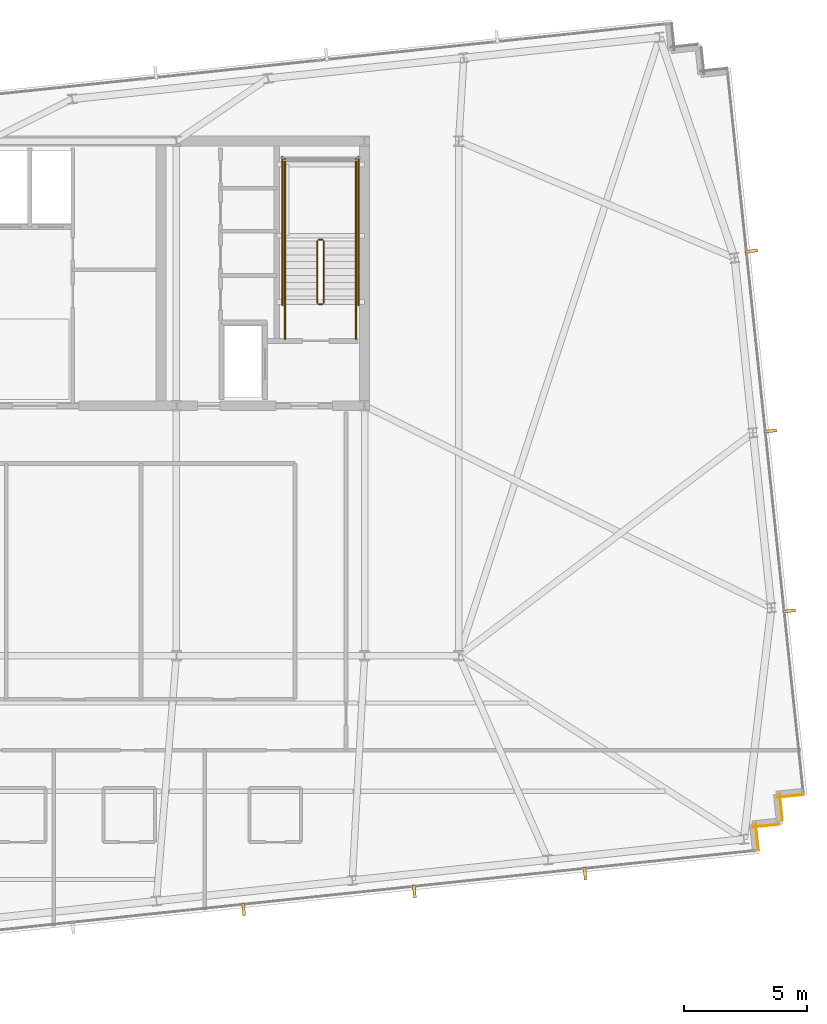
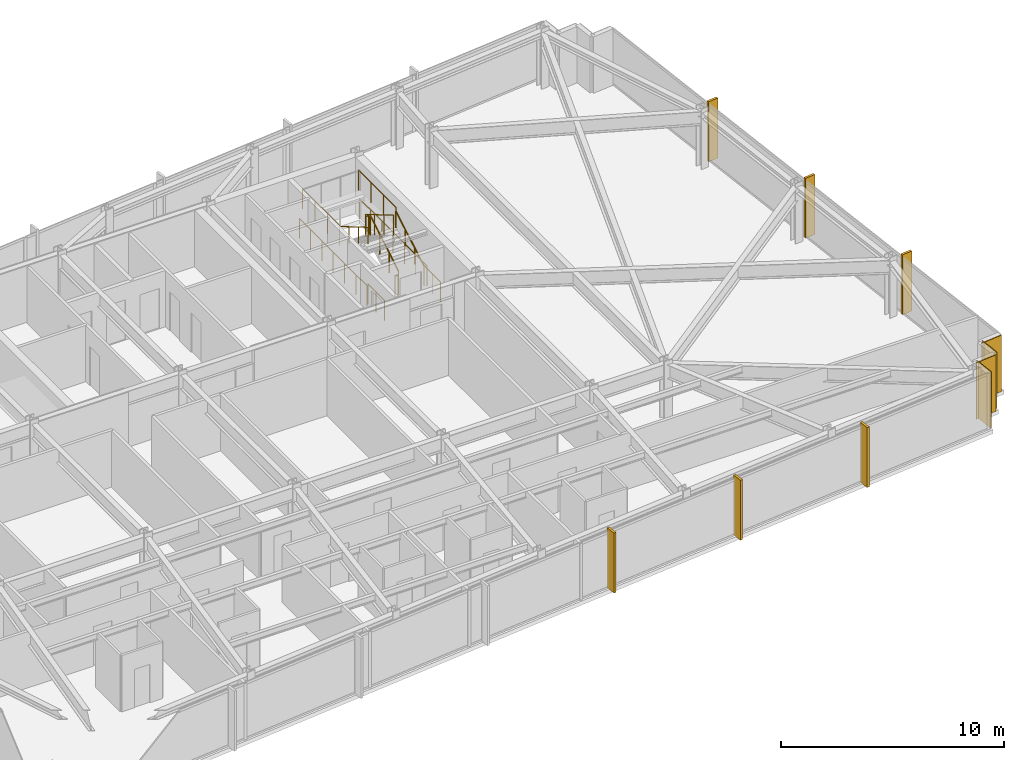
# One storey, part 32 of 33: 12 railings, 6 shading devices, 4 coverings.
"""IFC4 building model written with IfcOpenShell, lengths in metres."""

from ifc_helpers import new_model, si_unit, direction, frame, frame_2d, origin, origin_2d, place, context, subcontext, project, spatial, rectangle, circle, extrude, material, layer, layer_set, type_object, element, save


model = new_model("IFC4")

# Units and contexts
model_context = context("Model", 3, precision=1e-05, world=origin(), true_north=direction((0.0, 1.0)))
body_context = subcontext(model_context, "Body", "Model", "MODEL_VIEW")
ifc_project = project(units=[si_unit("LENGTHUNIT", "METRE"), si_unit("AREAUNIT", "SQUARE_METRE"), si_unit("VOLUMEUNIT", "CUBIC_METRE"), si_unit("PLANEANGLEUNIT", "RADIAN"), si_unit("MASSUNIT", "GRAM", prefix="KILO")], contexts=[model_context])

# Site, building, storey
site_placement = place(None, origin())
site = spatial("IfcSite", under=ifc_project, at=site_placement, CompositionType="ELEMENT")
building_placement = place(site_placement, origin())
building = spatial("IfcBuilding", under=site, at=building_placement, Name="Yelkora Congress Tower", CompositionType="ELEMENT")
storey_placement = place(building_placement, frame((0.0, 0.0, 227.60009765625)))
storey = spatial("IfcBuildingStorey", under=building, at=storey_placement, Name="L63", CompositionType="ELEMENT", Elevation=227.60009765625)

# Coverings
ifc_material_1 = material(Name="Anatolian bush-hammered limestone", Category="masonry")
ifc_layer_1 = layer(ifc_material_1, 0.0400390625)
ifc_layer_set_1 = layer_set([ifc_layer_1], Name="Anatolian bush-hammered limestone")
covering_type = type_object("IfcCoveringType", Name="COV-CLAD-SPANDREL-40", PredefinedType="CLADDING", material=ifc_layer_set_1)
for number, where, z_axis, x_axis, name in (
    (1, (71.668212890625, 19.535888671875, 0.0), (0.0, 0.0, 1.0), (-0.994544300928, -0.104315068386, 0.0), "L63 Anatolian Limestone Cladding EW-L63-SR16"),
    (2, (70.6943359375, 19.569580078125, 0.0), (0.0, 0.0, 1.0), (0.104534592565, -0.994521251134, 0.0), "L63 Anatolian Limestone Cladding EW-L63-SR17"),
    (3, (70.689208984375, 18.3271484375, 0.0), (0.0, 0.0, 1.0), (-0.994521251134, -0.104534592565, 0.0), "L63 Anatolian Limestone Cladding EW-L63-SR18"),
    (4, (69.71533203125, 18.360595703125, 0.0), (0.0, 0.0, 1.0), (0.104534592565, -0.994521251134, 0.0), "L63 Anatolian Limestone Cladding EW-L63-SR19"),
):
    element("IfcCovering", number, at=place(storey_placement, frame(where, z_axis=z_axis, x_axis=x_axis)), inside=storey, type_object=covering_type, Name=name, PredefinedType="CLADDING", context=body_context, shape_type="SweptSolid", body=[
        extrude(rectangle(XDim=1.10009765625, YDim=0.0400390625, at=frame_2d((0.550048828125, 0.0))), origin(), (0.0, 0.0, 1.0), 3.079833984375),
    ])

# Railings
ifc_material_2 = material(Name="Painted galvanised steel stair well guard with vertical infill", Category="steel")
ifc_layer_2 = layer(ifc_material_2, 0.06005859375)
ifc_layer_set_2 = layer_set([ifc_layer_2], Name="Painted galvanised steel stair well guard with vertical infill")
railing_type_1 = type_object("IfcRailingType", Name="RAIL-STAIR-GUARD-1120", PredefinedType="GUARDRAIL", material=ifc_layer_set_2)
railing_1_placement = place(storey_placement, frame((52.090087890625, 39.60009765625, 0.164794921875)))
element("IfcRailing", 5, at=railing_1_placement, inside=storey, type_object=railing_type_1, Name="ST-02 L63 Stair Well Guardrail 1", PredefinedType="GUARDRAIL", context=body_context, shape_type="SweptSolid", body=[
    extrude(circle(Radius=0.02392578125, at=origin_2d()), frame((0.0, 0.0, 1.09619140625), z_axis=(0.0, 0.86152411907, 0.507716645641), x_axis=(-1.0, 0.0, 0.0)), (0.0, 0.0, 1.0), 2.925048828125),
    extrude(circle(Radius=0.02099609375, at=origin_2d()), origin(), (0.0, 0.0, 1.0), 1.072021484375),
    extrude(circle(Radius=0.02099609375, at=origin_2d()), frame((0.0, 0.840087890625, 0.4951171875)), (0.0, 0.0, 1.0), 1.072021484375),
    extrude(circle(Radius=0.02099609375, at=origin_2d()), frame((0.0, 1.679931640625, 0.989990234375)), (0.0, 0.0, 1.0), 1.072021484375),
    extrude(circle(Radius=0.02099609375, at=origin_2d()), frame((0.0, 2.52001953125, 1.485107421875)), (0.0, 0.0, 1.0), 1.072021484375),
])
railing_2_placement = place(storey_placement, frame((52.0400390625, 42.169921875, 1.64990234375)))
element("IfcRailing", 6, at=railing_2_placement, inside=storey, type_object=railing_type_1, Name="ST-02 L63 Stair Well Guardrail 2", PredefinedType="GUARDRAIL", context=body_context, shape_type="SweptSolid", body=[
    extrude(circle(Radius=0.02392578125, at=origin_2d()), frame((0.0, 0.0, 1.09619140625), z_axis=(-1.0, 0.0, 0.0), x_axis=(0.0, -1.0, 0.0)), (0.0, 0.0, 1.0), 0.16015625),
    extrude(circle(Radius=0.02099609375, at=origin_2d()), origin(), (0.0, 0.0, 1.0), 1.072021484375),
    extrude(circle(Radius=0.02099609375, at=origin_2d()), frame((-0.16015625, 0.0, 0.0)), (0.0, 0.0, 1.0), 1.072021484375),
])
for number, where, name in (
    (7, (53.409912109375, 42.1201171875, 1.64990234375), "ST-02 L63 Stair Well Guardrail 3"),
    (8, (50.510009765625, 42.1201171875, 1.64990234375), "ST-02 L63 Stair Well Guardrail 4"),
):
    element("IfcRailing", number, at=place(storey_placement, frame(where)), inside=storey, type_object=railing_type_1, Name=name, PredefinedType="GUARDRAIL", context=body_context, shape_type="SweptSolid", body=[
        extrude(circle(Radius=0.02392578125, at=origin_2d()), frame((0.0, 0.0, 1.09619140625), z_axis=(0.0, 1.0, 0.0), x_axis=(-1.0, 0.0, 0.0)), (0.0, 0.0, 1.0), 3.349853515625),
        extrude(circle(Radius=0.02099609375, at=origin_2d()), origin(), (0.0, 0.0, 1.0), 1.072021484375),
        extrude(circle(Radius=0.02099609375, at=origin_2d()), frame((0.0, 1.11669921875, 0.0)), (0.0, 0.0, 1.0), 1.072021484375),
        extrude(circle(Radius=0.02099609375, at=origin_2d()), frame((0.0, 2.233154296875, 0.0)), (0.0, 0.0, 1.0), 1.072021484375),
        extrude(circle(Radius=0.02099609375, at=origin_2d()), frame((0.0, 3.349853515625, 0.0)), (0.0, 0.0, 1.0), 1.072021484375),
    ])
railing_3_placement = place(storey_placement, frame((51.830078125, 42.1201171875, 1.81494140625)))
element("IfcRailing", 9, at=railing_3_placement, inside=storey, type_object=railing_type_1, Name="ST-02 L63 Stair Well Guardrail 6", PredefinedType="GUARDRAIL", context=body_context, shape_type="SweptSolid", body=[
    extrude(circle(Radius=0.02392578125, at=origin_2d()), frame((0.0, 0.0, 1.09619140625), z_axis=(0.0, -0.861560626758, 0.507654692109), x_axis=(1.0, 0.0, 0.0)), (0.0, 0.0, 1.0), 2.925048828125),
    extrude(circle(Radius=0.02099609375, at=origin_2d()), origin(), (0.0, 0.0, 1.0), 1.072021484375),
    extrude(circle(Radius=0.02099609375, at=origin_2d()), frame((0.0, -0.840087890625, 0.494873046875)), (0.0, 0.0, 1.0), 1.072021484375),
    extrude(circle(Radius=0.02099609375, at=origin_2d()), frame((0.0, -1.679931640625, 0.989990234375)), (0.0, 0.0, 1.0), 1.072021484375),
    extrude(circle(Radius=0.02099609375, at=origin_2d()), frame((0.0, -2.52001953125, 1.48486328125)), (0.0, 0.0, 1.0), 1.072021484375),
])
railing_4_placement = place(storey_placement, frame((52.0400390625, 39.550048828125, 0.0)))
element("IfcRailing", 10, at=railing_4_placement, inside=storey, type_object=railing_type_1, Name="ST-02 L63 Stair Well Guardrail 7", PredefinedType="GUARDRAIL", context=body_context, shape_type="SweptSolid", body=[
    extrude(circle(Radius=0.02392578125, at=origin_2d()), frame((0.0, 0.0, 1.09619140625), z_axis=(-1.0, 0.0, 0.0), x_axis=(0.0, -1.0, 0.0)), (0.0, 0.0, 1.0), 0.16015625),
    extrude(circle(Radius=0.02099609375, at=origin_2d()), origin(), (0.0, 0.0, 1.0), 1.072021484375),
    extrude(circle(Radius=0.02099609375, at=origin_2d()), frame((-0.16015625, 0.0, 0.0)), (0.0, 0.0, 1.0), 1.072021484375),
])
for number, where, name in (
    (11, (53.409912109375, 38.1201171875, 0.0), "ST-02 L63 Stair Well Guardrail 8"),
    (12, (50.510009765625, 38.1201171875, 0.0), "ST-02 L63 Stair Well Guardrail 9"),
):
    element("IfcRailing", number, at=place(storey_placement, frame(where)), inside=storey, type_object=railing_type_1, Name=name, PredefinedType="GUARDRAIL", context=body_context, shape_type="SweptSolid", body=[
        extrude(circle(Radius=0.02392578125, at=origin_2d()), frame((0.0, 0.0, 1.09619140625), z_axis=(0.0, 1.0, 0.0), x_axis=(-1.0, 0.0, 0.0)), (0.0, 0.0, 1.0), 1.47998046875),
        extrude(circle(Radius=0.02099609375, at=origin_2d()), origin(), (0.0, 0.0, 1.0), 1.072021484375),
        extrude(circle(Radius=0.02099609375, at=origin_2d()), frame((0.0, 0.739990234375, 0.0)), (0.0, 0.0, 1.0), 1.072021484375),
        extrude(circle(Radius=0.02099609375, at=origin_2d()), frame((0.0, 1.47998046875, 0.0)), (0.0, 0.0, 1.0), 1.072021484375),
    ])
for number, where, name in (
    (13, (53.510009765625, 39.5, 0.0), "ST-02 L63 Stair Well Guardrail 10"),
    (14, (50.409912109375, 39.5, 0.0), "ST-02 L63 Stair Well Guardrail 11"),
):
    element("IfcRailing", number, at=place(storey_placement, frame(where)), inside=storey, type_object=railing_type_1, Name=name, PredefinedType="GUARDRAIL", context=body_context, shape_type="SweptSolid", body=[
        extrude(circle(Radius=0.02392578125, at=origin_2d()), frame((0.0, 0.0, 1.09619140625), z_axis=(0.0, 1.0, 0.0), x_axis=(-1.0, 0.0, 0.0)), (0.0, 0.0, 1.0), 6.070068359375),
        extrude(circle(Radius=0.02099609375, at=origin_2d()), origin(), (0.0, 0.0, 1.0), 1.072021484375),
        extrude(circle(Radius=0.02099609375, at=origin_2d()), frame((0.0, 1.01171875, 0.0)), (0.0, 0.0, 1.0), 1.072021484375),
        extrude(circle(Radius=0.02099609375, at=origin_2d()), frame((0.0, 2.0234375, 0.0)), (0.0, 0.0, 1.0), 1.072021484375),
        extrude(circle(Radius=0.02099609375, at=origin_2d()), frame((0.0, 3.03515625, 0.0)), (0.0, 0.0, 1.0), 1.072021484375),
        extrude(circle(Radius=0.02099609375, at=origin_2d()), frame((0.0, 4.046630859375, 0.0)), (0.0, 0.0, 1.0), 1.072021484375),
        extrude(circle(Radius=0.02099609375, at=origin_2d()), frame((0.0, 5.058349609375, 0.0)), (0.0, 0.0, 1.0), 1.072021484375),
        extrude(circle(Radius=0.02099609375, at=origin_2d()), frame((0.0, 6.070068359375, 0.0)), (0.0, 0.0, 1.0), 1.072021484375),
    ])
ifc_material_3 = material(Name="Brushed stainless steel tubular handrail", Category="steel")
ifc_layer_3 = layer(ifc_material_3, 0.050048828125)
ifc_layer_set_3 = layer_set([ifc_layer_3], Name="Brushed stainless steel tubular handrail")
railing_type_2 = type_object("IfcRailingType", Name="RAIL-STAIR-HAND-920", PredefinedType="HANDRAIL", material=ifc_layer_set_3)
railing_5_placement = place(storey_placement, frame((53.409912109375, 39.60009765625, 0.164794921875)))
element("IfcRailing", 15, at=railing_5_placement, inside=storey, type_object=railing_type_2, Name="ST-02 L63 Pitch Handrail 1", PredefinedType="HANDRAIL", context=body_context, shape_type="SweptSolid", body=[
    extrude(circle(Radius=0.02392578125, at=origin_2d()), frame((0.0, 0.0, 0.89599609375), z_axis=(0.0, 0.86152411907, 0.507716645641), x_axis=(-1.0, 0.0, 0.0)), (0.0, 0.0, 1.0), 2.925048828125),
    extrude(circle(Radius=0.02099609375, at=origin_2d()), origin(), (0.0, 0.0, 1.0), 0.871826171875),
    extrude(circle(Radius=0.02099609375, at=origin_2d()), frame((0.0, 0.840087890625, 0.4951171875)), (0.0, 0.0, 1.0), 0.871826171875),
    extrude(circle(Radius=0.02099609375, at=origin_2d()), frame((0.0, 1.679931640625, 0.989990234375)), (0.0, 0.0, 1.0), 0.871826171875),
    extrude(circle(Radius=0.02099609375, at=origin_2d()), frame((0.0, 2.52001953125, 1.485107421875)), (0.0, 0.0, 1.0), 0.871826171875),
])
railing_6_placement = place(storey_placement, frame((50.510009765625, 42.1201171875, 1.81494140625)))
element("IfcRailing", 16, at=railing_6_placement, inside=storey, type_object=railing_type_2, Name="ST-02 L63 Pitch Handrail 2", PredefinedType="HANDRAIL", context=body_context, shape_type="SweptSolid", body=[
    extrude(circle(Radius=0.02392578125, at=origin_2d()), frame((0.0, 0.0, 0.89599609375), z_axis=(0.0, -0.861560626758, 0.507654692109), x_axis=(1.0, 0.0, 0.0)), (0.0, 0.0, 1.0), 2.925048828125),
    extrude(circle(Radius=0.02099609375, at=origin_2d()), origin(), (0.0, 0.0, 1.0), 0.871826171875),
    extrude(circle(Radius=0.02099609375, at=origin_2d()), frame((0.0, -0.840087890625, 0.494873046875)), (0.0, 0.0, 1.0), 0.871826171875),
    extrude(circle(Radius=0.02099609375, at=origin_2d()), frame((0.0, -1.679931640625, 0.989990234375)), (0.0, 0.0, 1.0), 0.871826171875),
    extrude(circle(Radius=0.02099609375, at=origin_2d()), frame((0.0, -2.52001953125, 1.48486328125)), (0.0, 0.0, 1.0), 0.871826171875),
])

# Shading devices
ifc_material_4 = material(Name="Champagne anodised aluminium", Category="aluminium")
ifc_layer_4 = layer(ifc_material_4, 3.300048828125)
ifc_layer_set_4 = layer_set([ifc_layer_4], Name="Champagne anodised aluminium")
shading_device_type = type_object("IfcShadingDeviceType", Name="SHD-FIN-ALU-520", PredefinedType="USERDEFINED", material=ifc_layer_set_4)
for number, where, z_axis, x_axis, name in (
    (17, (69.538818359375, 41.7099609375, -0.0302734375), (0.0, 0.0, 1.0), (0.104528463268, -0.994521895368, 0.0), "L63 Vertical Anodised Solar Fin 15-1"),
    (18, (70.31005859375, 34.370361328125, -0.0302734375), (0.0, 0.0, 1.0), (0.104528463268, -0.994521895368, 0.0), "L63 Vertical Anodised Solar Fin 15-2"),
    (19, (71.08154296875, 27.03076171875, -0.0302734375), (0.0, 0.0, 1.0), (0.104528463268, -0.994521895368, 0.0), "L63 Vertical Anodised Solar Fin 15-3"),
    (20, (62.75244140625, 16.321533203125, -0.0302734375), (0.0, 0.0, 1.0), (-0.994521895368, -0.104528463268, 0.0), "L63 Vertical Anodised Solar Fin 20-1"),
    (21, (55.7880859375, 15.589599609375, -0.0302734375), (0.0, 0.0, 1.0), (-0.994521895368, -0.104528463268, 0.0), "L63 Vertical Anodised Solar Fin 20-2"),
    (22, (48.823486328125, 14.857421875, -0.0302734375), (0.0, 0.0, 1.0), (-0.994521895368, -0.104528463268, 0.0), "L63 Vertical Anodised Solar Fin 20-3"),
):
    element("IfcShadingDevice", number, at=place(storey_placement, frame(where, z_axis=z_axis, x_axis=x_axis)), inside=storey, type_object=shading_device_type, Name=name, ObjectType="FIN", PredefinedType="USERDEFINED", context=body_context, shape_type="SweptSolid", body=[
        extrude(rectangle(XDim=0.1201171875, YDim=0.52001953125, at=origin_2d()), origin(), (0.0, 0.0, 1.0), 3.280029296875),
    ])

save(model, "model.ifc")
